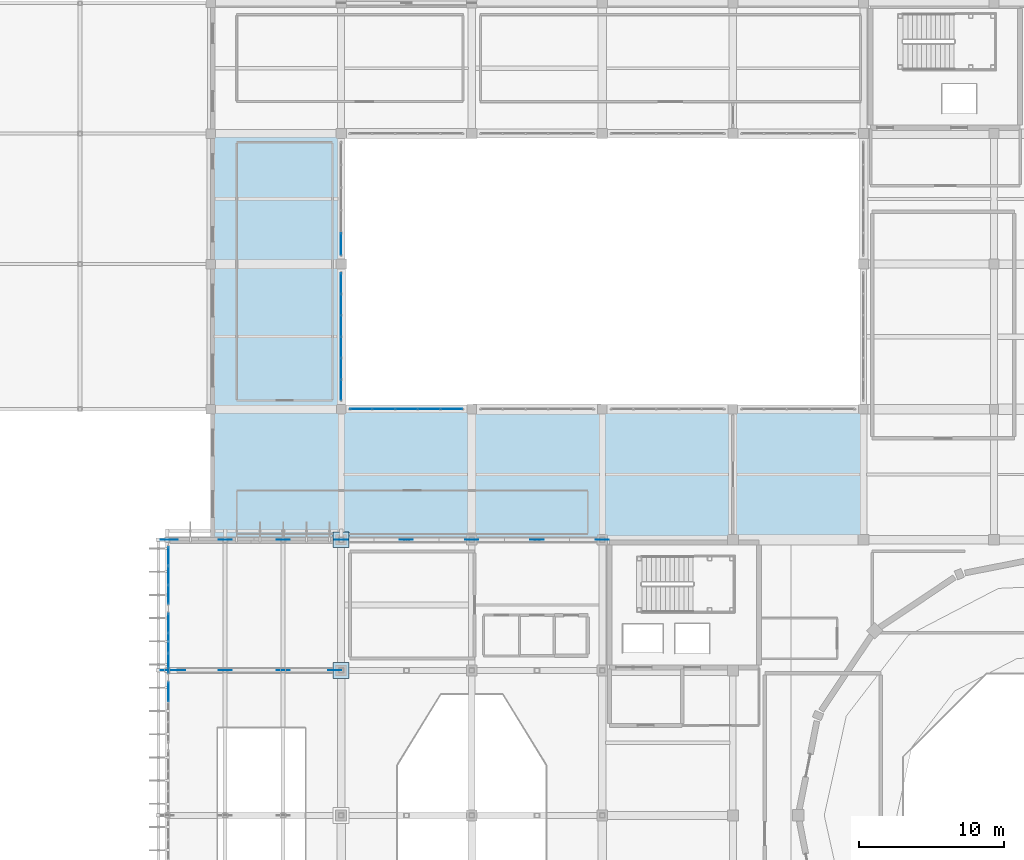
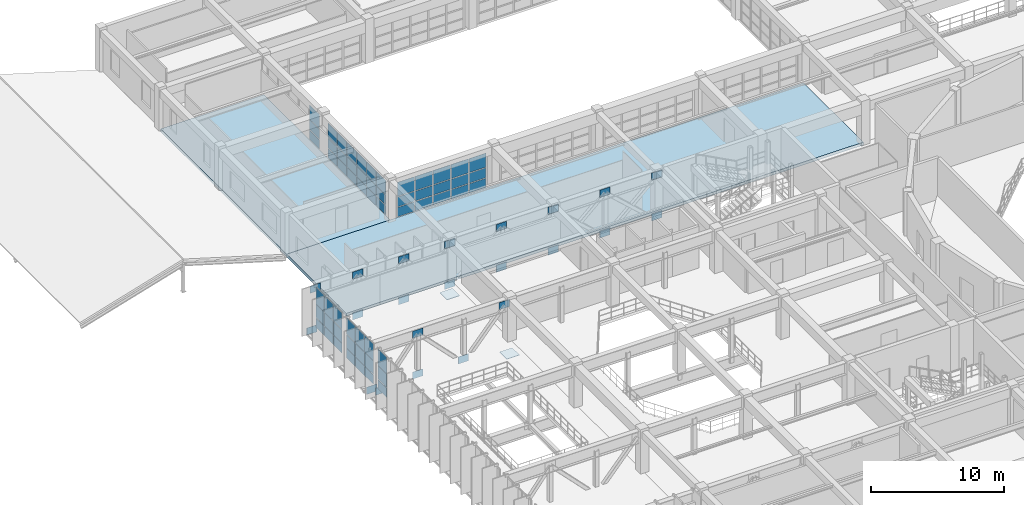
# One storey, part 94 of 130: 81 plates, 2 slabs, 6 elements without a shape of their own.
"""IFC4 building model written with IfcOpenShell, lengths in metres."""

import ifcopenshell
import ifcopenshell.guid

model = None  # the IFC model being written
_history = None  # IfcOwnerHistory: only IFC2X3 demands one
_inside = {}  # id of a spatial element -> (the spatial element, [elements in it])
_under = {}  # id of a project, library or spatial element -> (it, [spatial elements below it])
_declared = {}  # id of a project -> (the project, [libraries it declares])
_typed = {}  # id of a type object -> (the type object, [elements of that type])
_made_of = {}  # id of a material, layer set ... -> (it, [elements and type objects made of it])


def new_model(schema):
    """Start an empty IFC model of exactly this schema.

    Asked for "IFC4X3", IfcOpenShell would pick the latest addendum, in which some entities
    have other attributes; the version numbers below select the first issue.
    IFC2X3 requires an IfcOwnerHistory on every rooted entity: one is made here for all.
    """
    global model, _history
    if schema == "IFC4X3":
        model = ifcopenshell.file(schema_version=(4, 3, 0, 0))
    else:
        model = ifcopenshell.file(schema=schema)
    _inside.clear()
    _under.clear()
    _declared.clear()
    _typed.clear()
    _made_of.clear()
    _history = None
    if model.schema == "IFC2X3":
        org = make("IfcOrganization", Name="unknown")
        user = make(
            "IfcPersonAndOrganization",
            ThePerson=make("IfcPerson", FamilyName="unknown"),
            TheOrganization=org,
        )
        app = make(
            "IfcApplication",
            ApplicationDeveloper=org,
            Version="unknown",
            ApplicationFullName="unknown",
            ApplicationIdentifier="unknown",
        )
        _history = make(
            "IfcOwnerHistory",
            OwningUser=user,
            OwningApplication=app,
            ChangeAction="ADDED",
            CreationDate=0,
        )
    return model


def make(cls, **values):
    """One entity of the class cls with the attributes given. An attribute that is None is left unset."""
    return model.create_entity(
        cls, **{name: value for name, value in values.items() if value is not None}
    )


def rooted(cls, **values):
    """An entity with a GlobalId (a new one), such as an element, a storey or a relation."""
    return make(cls, GlobalId=ifcopenshell.guid.new(), OwnerHistory=_history, **values)


def si_unit(unit_type, name, prefix=None):
    """IfcSIUnit, for example si_unit("LENGTHUNIT", "METRE", prefix="MILLI")."""
    return make("IfcSIUnit", UnitType=unit_type, Prefix=prefix, Name=name)


def assignment(units):
    """IfcUnitAssignment: the units of a project."""
    return None if units is None else make("IfcUnitAssignment", Units=units)


def point(xyz):
    """IfcCartesianPoint."""
    return None if xyz is None else make("IfcCartesianPoint", Coordinates=xyz)


def direction(xyz):
    """IfcDirection."""
    return None if xyz is None else make("IfcDirection", DirectionRatios=xyz)


def frame(location, z_axis=None, x_axis=None):
    """IfcAxis2Placement3D, a coordinate frame: its origin and axes. An axis left out is left unset."""
    return make(
        "IfcAxis2Placement3D",
        Location=point(location),
        Axis=direction(z_axis),
        RefDirection=direction(x_axis),
    )


def frame_2d(location, x_axis=None):
    """IfcAxis2Placement2D, a coordinate frame in the plane: its origin and x axis."""
    return make(
        "IfcAxis2Placement2D", Location=point(location), RefDirection=direction(x_axis)
    )


def origin():
    """The frame at (0, 0, 0) with its axes left unset."""
    return frame((0.0, 0.0, 0.0))


def origin_2d():
    """The frame at (0, 0) in the plane with its x axis left unset."""
    return frame_2d((0.0, 0.0))


def place(relative_to, where):
    """IfcLocalPlacement: puts the frame where relative to a parent placement (None: the world)."""
    return make(
        "IfcLocalPlacement", PlacementRelTo=relative_to, RelativePlacement=where
    )


def context(
    kind, dimensions, precision=None, world=None, true_north=None, identifier=None
):
    """IfcGeometricRepresentationContext, for example the 3D "Model" context."""
    return make(
        "IfcGeometricRepresentationContext",
        ContextIdentifier=identifier,
        ContextType=kind,
        CoordinateSpaceDimension=dimensions,
        Precision=precision,
        WorldCoordinateSystem=world,
        TrueNorth=true_north,
    )


def subcontext(parent, identifier, kind, view, scale=None):
    """IfcGeometricRepresentationSubContext, for example "Body" below "Model"."""
    return make(
        "IfcGeometricRepresentationSubContext",
        ContextIdentifier=identifier,
        ContextType=kind,
        ParentContext=parent,
        TargetScale=scale,
        TargetView=view,
    )


def project(units=None, contexts=None):
    """IfcProject with its units and contexts."""
    return rooted(
        "IfcProject",
        Name="project",
        RepresentationContexts=contexts,
        UnitsInContext=assignment(units),
    )


def spatial(cls, under=None, at=None, **own):
    """A site, building, storey or space (cls), placed at a placement, below another one or the project."""
    s = rooted(cls, ObjectPlacement=at, **own)
    if under is not None:
        _under.setdefault(under.id(), (under, []))[1].append(s)
    return s


def polyline(points):
    """IfcPolyline through the points."""
    return make("IfcPolyline", Points=[point(p) for p in points])


def profile(cls, at=None, kind="AREA", **sizes):
    """A parametric profile (cls). Its sizes go by their IFC names, for example OverallWidth=200.0."""
    return make(cls, ProfileType=kind, Position=at, **sizes)


def rectangle(**sizes):
    """IfcRectangleProfileDef."""
    return profile("IfcRectangleProfileDef", **sizes)


def outline(outer, holes=None, kind="AREA"):
    """IfcArbitraryClosedProfileDef: a profile drawn as a closed curve; with holes, ...WithVoids."""
    if holes is None:
        return make("IfcArbitraryClosedProfileDef", ProfileType=kind, OuterCurve=outer)
    return make(
        "IfcArbitraryProfileDefWithVoids",
        ProfileType=kind,
        OuterCurve=outer,
        InnerCurves=holes,
    )


def extrude(swept, where, along, depth):
    """IfcExtrudedAreaSolid: the profile swept, set in the frame where, extruded along a direction by depth."""
    return make(
        "IfcExtrudedAreaSolid",
        SweptArea=swept,
        Position=where,
        ExtrudedDirection=direction(along),
        Depth=depth,
    )


def shape(context_of_items, identifier, shape_type, items):
    """IfcShapeRepresentation: the items that make up one representation, for example the "Body"."""
    return make(
        "IfcShapeRepresentation",
        ContextOfItems=context_of_items,
        RepresentationIdentifier=identifier,
        RepresentationType=shape_type,
        Items=items,
    )


def material(Name=None, Category=None):
    """IfcMaterial."""
    return make("IfcMaterial", Name=Name, Category=Category)


def layer(
    of_material, thickness, ventilated=None, Name=None, Category=None, Priority=None
):
    """IfcMaterialLayer: one layer of a wall or slab, of a material (None: an air gap)."""
    return make(
        "IfcMaterialLayer",
        Material=of_material,
        LayerThickness=thickness,
        IsVentilated=ventilated,
        Name=Name,
        Category=Category,
        Priority=Priority,
    )


def layer_set(layers, Name=None):
    """IfcMaterialLayerSet."""
    return make("IfcMaterialLayerSet", MaterialLayers=layers, LayerSetName=Name)


def made_of(thing, what):
    """Note that an element or type object is made of a material, layer set ...; save() writes the relation."""
    if what is not None:
        _made_of.setdefault(what.id(), (what, []))[1].append(thing)
    return thing


def type_object(cls, material=None, **own):
    """A type object (cls), such as IfcWallType, which elements share."""
    return made_of(rooted(cls, **own), material)


def element(
    cls,
    number,
    at=None,
    inside=None,
    cuts=None,
    type_object=None,
    material=None,
    context=None,
    identifier="Body",
    shape_type=None,
    held_by="IfcProductDefinitionShape",
    body=None,
    shapes=None,
    **own,
):
    """One element of the class cls, such as IfcWall. Its Tag is "e" and its number.

    at: its placement. inside: the storey or other place that contains it. cuts: it is an
    opening in that element (IfcRelVoidsElement). A single representation is given by context,
    identifier, shape_type and body (its items); several are given by shapes. held_by: the class
    of the entity that holds the representations. save() writes the other relations.
    """
    e = rooted(cls, Tag="e%d" % number, ObjectPlacement=at, **own)
    if body is not None:
        shapes = [shape(context, identifier, shape_type, body)]
    if shapes is not None:
        e.Representation = make(held_by, Representations=shapes)
    if inside is not None:
        _inside.setdefault(inside.id(), (inside, []))[1].append(e)
    if cuts is not None:
        rooted(
            "IfcRelVoidsElement", RelatingBuildingElement=cuts, RelatedOpeningElement=e
        )
    if type_object is not None:
        _typed.setdefault(type_object.id(), (type_object, []))[1].append(e)
    return made_of(e, material)


def aggregate(whole, parts):
    """IfcRelAggregates: a whole, such as a stair, and the parts it consists of."""
    return rooted("IfcRelAggregates", RelatingObject=whole, RelatedObjects=parts)


def save(model, path):
    """Write the relations noted so far, then the file.

    IfcRelAggregates (storeys below a building ...), IfcRelContainedInSpatialStructure (elements
    in a storey), IfcRelDefinesByType, IfcRelAssociatesMaterial and IfcRelDeclares: one each for
    every whole, place, type object, material and project.
    """
    for whole, parts in _under.values():
        aggregate(whole, parts)
    for where, things in _inside.values():
        rooted(
            "IfcRelContainedInSpatialStructure",
            RelatedElements=things,
            RelatingStructure=where,
        )
    for kind, things in _typed.values():
        rooted("IfcRelDefinesByType", RelatedObjects=things, RelatingType=kind)
    for what, things in _made_of.values():
        rooted("IfcRelAssociatesMaterial", RelatedObjects=things, RelatingMaterial=what)
    for by, libraries in _declared.values():
        rooted("IfcRelDeclares", RelatingContext=by, RelatedDefinitions=libraries)
    model.write(path)


model = new_model("IFC4")

# Units and contexts
model_context = context("Model", 3, precision=1e-05, world=origin(), true_north=direction((0.0, 1.0)))
body_context = subcontext(model_context, "Body", "Model", "MODEL_VIEW")
ifc_project = project(units=[si_unit("LENGTHUNIT", "METRE"), si_unit("AREAUNIT", "SQUARE_METRE"), si_unit("VOLUMEUNIT", "CUBIC_METRE"), si_unit("PLANEANGLEUNIT", "RADIAN"), si_unit("MASSUNIT", "GRAM", prefix="KILO")], contexts=[model_context])

# Site, building, storey
site_placement = place(None, origin())
site = spatial("IfcSite", under=ifc_project, at=site_placement, CompositionType="ELEMENT")
building_placement = place(site_placement, origin())
building = spatial("IfcBuilding", under=site, at=building_placement, Name="Miravela Opera House", CompositionType="ELEMENT")
storey_placement = place(building_placement, frame((0.0, 0.0, 9.52001953125)))
storey = spatial("IfcBuildingStorey", under=building, at=storey_placement, Name="L02", CompositionType="ELEMENT", Elevation=9.52001953125)

# Curtain wall, plates
ifc_material_1 = material(Name="Anodised architectural bronze aluminium 6063-T6", Category="aluminium")
curtain_wall_type_1 = type_object("IfcCurtainWallType", Name="ARC-CW-05", PredefinedType="NOTDEFINED", material=ifc_material_1)
curtain_wall_1_placement = place(storey_placement, origin())
curtain_wall_1 = element("IfcCurtainWall", 1, at=curtain_wall_1_placement, inside=storey, type_object=curtain_wall_type_1, Name="Courtyard Arcade Curtain Wall CW-L02-089", PredefinedType="NOTDEFINED")
ifc_material_2 = material(Name="Acoustic laminated low-E insulating glass", Category="glass")
ifc_layer_1 = layer(ifc_material_2, 0.028076171875)
ifc_layer_set_1 = layer_set([ifc_layer_1])
plate_type_1 = type_object("IfcPlateType", Name="ARC-CWP-28", PredefinedType="CURTAIN_PANEL", material=ifc_layer_set_1)
plate_1_placement = place(storey_placement, frame((28.37890625, 84.0, 0.06005859375), z_axis=(0.0, 0.0, 1.0), x_axis=(1.0, 0.0, 0.0)))
plate_1 = element("IfcPlate", 2, at=plate_1_placement, type_object=plate_type_1, Name="CW-05 panel 1.1", PredefinedType="CURTAIN_PANEL", context=body_context, shape_type="SweptSolid", body=[
    extrude(rectangle(XDim=1.47802734375, YDim=0.028076171875, at=origin_2d()), origin(), (0.0, 0.0, 1.0), 0.860107421875),
])
plate_2_placement = place(storey_placement, frame((28.37890625, 84.0, 0.97998046875), z_axis=(0.0, 0.0, 1.0), x_axis=(1.0, 0.0, 0.0)))
plate_2 = element("IfcPlate", 3, at=plate_2_placement, type_object=plate_type_1, Name="CW-05 panel 1.2", PredefinedType="CURTAIN_PANEL", context=body_context, shape_type="SweptSolid", body=[
    extrude(rectangle(XDim=1.47802734375, YDim=0.028076171875, at=origin_2d()), origin(), (0.0, 0.0, 1.0), 0.898193359375),
])
plate_3_placement = place(storey_placement, frame((28.37890625, 84.0, 1.93798828125), z_axis=(0.0, 0.0, 1.0), x_axis=(1.0, 0.0, 0.0)))
plate_3 = element("IfcPlate", 4, at=plate_3_placement, type_object=plate_type_1, Name="CW-05 panel 1.3", PredefinedType="CURTAIN_PANEL", context=body_context, shape_type="SweptSolid", body=[
    extrude(rectangle(XDim=1.47802734375, YDim=0.028076171875, at=origin_2d()), origin(), (0.0, 0.0, 1.0), 1.291748046875),
])
plate_4_placement = place(storey_placement, frame((29.931884765625, 84.0, 0.06005859375), z_axis=(0.0, 0.0, 1.0), x_axis=(1.0, 0.0, 0.0)))
plate_4 = element("IfcPlate", 5, at=plate_4_placement, type_object=plate_type_1, Name="CW-05 panel 2.1", PredefinedType="CURTAIN_PANEL", context=body_context, shape_type="SweptSolid", body=[
    extrude(rectangle(XDim=1.508056640625, YDim=0.028076171875, at=origin_2d()), origin(), (0.0, 0.0, 1.0), 0.860107421875),
])
plate_5_placement = place(storey_placement, frame((29.931884765625, 84.0, 0.97998046875), z_axis=(0.0, 0.0, 1.0), x_axis=(1.0, 0.0, 0.0)))
plate_5 = element("IfcPlate", 6, at=plate_5_placement, type_object=plate_type_1, Name="CW-05 panel 2.2", PredefinedType="CURTAIN_PANEL", context=body_context, shape_type="SweptSolid", body=[
    extrude(rectangle(XDim=1.508056640625, YDim=0.028076171875, at=origin_2d()), origin(), (0.0, 0.0, 1.0), 0.898193359375),
])
plate_6_placement = place(storey_placement, frame((29.931884765625, 84.0, 1.93798828125), z_axis=(0.0, 0.0, 1.0), x_axis=(1.0, 0.0, 0.0)))
plate_6 = element("IfcPlate", 7, at=plate_6_placement, type_object=plate_type_1, Name="CW-05 panel 2.3", PredefinedType="CURTAIN_PANEL", context=body_context, shape_type="SweptSolid", body=[
    extrude(rectangle(XDim=1.508056640625, YDim=0.028076171875, at=origin_2d()), origin(), (0.0, 0.0, 1.0), 1.291748046875),
])
plate_7_placement = place(storey_placement, frame((31.5, 84.0, 0.06005859375), z_axis=(0.0, 0.0, 1.0), x_axis=(1.0, 0.0, 0.0)))
plate_7 = element("IfcPlate", 8, at=plate_7_placement, type_object=plate_type_1, Name="CW-05 panel 3.1", PredefinedType="CURTAIN_PANEL", context=body_context, shape_type="SweptSolid", body=[
    extrude(rectangle(XDim=1.508056640625, YDim=0.028076171875, at=origin_2d()), origin(), (0.0, 0.0, 1.0), 0.860107421875),
])
plate_8_placement = place(storey_placement, frame((31.5, 84.0, 0.97998046875), z_axis=(0.0, 0.0, 1.0), x_axis=(1.0, 0.0, 0.0)))
plate_8 = element("IfcPlate", 9, at=plate_8_placement, type_object=plate_type_1, Name="CW-05 panel 3.2", PredefinedType="CURTAIN_PANEL", context=body_context, shape_type="SweptSolid", body=[
    extrude(rectangle(XDim=1.508056640625, YDim=0.028076171875, at=origin_2d()), origin(), (0.0, 0.0, 1.0), 0.898193359375),
])
plate_9_placement = place(storey_placement, frame((31.5, 84.0, 1.93798828125), z_axis=(0.0, 0.0, 1.0), x_axis=(1.0, 0.0, 0.0)))
plate_9 = element("IfcPlate", 10, at=plate_9_placement, type_object=plate_type_1, Name="CW-05 panel 3.3", PredefinedType="CURTAIN_PANEL", context=body_context, shape_type="SweptSolid", body=[
    extrude(rectangle(XDim=1.508056640625, YDim=0.028076171875, at=origin_2d()), origin(), (0.0, 0.0, 1.0), 1.291748046875),
])
plate_10_placement = place(storey_placement, frame((33.068115234375, 84.0, 0.06005859375), z_axis=(0.0, 0.0, 1.0), x_axis=(1.0, 0.0, 0.0)))
plate_10 = element("IfcPlate", 11, at=plate_10_placement, type_object=plate_type_1, Name="CW-05 panel 4.1", PredefinedType="CURTAIN_PANEL", context=body_context, shape_type="SweptSolid", body=[
    extrude(rectangle(XDim=1.508056640625, YDim=0.028076171875, at=origin_2d()), origin(), (0.0, 0.0, 1.0), 0.860107421875),
])
plate_11_placement = place(storey_placement, frame((33.068115234375, 84.0, 0.97998046875), z_axis=(0.0, 0.0, 1.0), x_axis=(1.0, 0.0, 0.0)))
plate_11 = element("IfcPlate", 12, at=plate_11_placement, type_object=plate_type_1, Name="CW-05 panel 4.2", PredefinedType="CURTAIN_PANEL", context=body_context, shape_type="SweptSolid", body=[
    extrude(rectangle(XDim=1.508056640625, YDim=0.028076171875, at=origin_2d()), origin(), (0.0, 0.0, 1.0), 0.898193359375),
])
plate_12_placement = place(storey_placement, frame((33.068115234375, 84.0, 1.93798828125), z_axis=(0.0, 0.0, 1.0), x_axis=(1.0, 0.0, 0.0)))
plate_12 = element("IfcPlate", 13, at=plate_12_placement, type_object=plate_type_1, Name="CW-05 panel 4.3", PredefinedType="CURTAIN_PANEL", context=body_context, shape_type="SweptSolid", body=[
    extrude(rectangle(XDim=1.508056640625, YDim=0.028076171875, at=origin_2d()), origin(), (0.0, 0.0, 1.0), 1.291748046875),
])
plate_13_placement = place(storey_placement, frame((34.62109375, 84.0, 0.06005859375), z_axis=(0.0, 0.0, 1.0), x_axis=(1.0, 0.0, 0.0)))
plate_13 = element("IfcPlate", 14, at=plate_13_placement, type_object=plate_type_1, Name="CW-05 panel 5.1", PredefinedType="CURTAIN_PANEL", context=body_context, shape_type="SweptSolid", body=[
    extrude(rectangle(XDim=1.47802734375, YDim=0.028076171875, at=origin_2d()), origin(), (0.0, 0.0, 1.0), 0.860107421875),
])
plate_14_placement = place(storey_placement, frame((34.62109375, 84.0, 0.97998046875), z_axis=(0.0, 0.0, 1.0), x_axis=(1.0, 0.0, 0.0)))
plate_14 = element("IfcPlate", 15, at=plate_14_placement, type_object=plate_type_1, Name="CW-05 panel 5.2", PredefinedType="CURTAIN_PANEL", context=body_context, shape_type="SweptSolid", body=[
    extrude(rectangle(XDim=1.47802734375, YDim=0.028076171875, at=origin_2d()), origin(), (0.0, 0.0, 1.0), 0.898193359375),
])
plate_15_placement = place(storey_placement, frame((34.62109375, 84.0, 1.93798828125), z_axis=(0.0, 0.0, 1.0), x_axis=(1.0, 0.0, 0.0)))
plate_15 = element("IfcPlate", 16, at=plate_15_placement, type_object=plate_type_1, Name="CW-05 panel 5.3", PredefinedType="CURTAIN_PANEL", context=body_context, shape_type="SweptSolid", body=[
    extrude(rectangle(XDim=1.47802734375, YDim=0.028076171875, at=origin_2d()), origin(), (0.0, 0.0, 1.0), 1.291748046875),
])
aggregate(curtain_wall_1, [plate_1, plate_2, plate_3, plate_4, plate_5, plate_6, plate_7, plate_8, plate_9, plate_10, plate_11, plate_12, plate_13, plate_14, plate_15])

curtain_wall_2_placement = place(storey_placement, origin())
curtain_wall_2 = element("IfcCurtainWall", 17, at=curtain_wall_2_placement, inside=storey, type_object=curtain_wall_type_1, Name="Courtyard Arcade Curtain Wall CW-L02-097", PredefinedType="NOTDEFINED")
plate_16_placement = place(storey_placement, frame((27.0, 85.331787109375, 0.06005859375), z_axis=(0.0, 0.0, 1.0), x_axis=(0.0, 1.0, 0.0)))
plate_16 = element("IfcPlate", 18, at=plate_16_placement, type_object=plate_type_1, Name="CW-05 panel 1.1", PredefinedType="CURTAIN_PANEL", context=body_context, shape_type="SweptSolid", body=[
    extrude(rectangle(XDim=1.38330078125, YDim=0.028076171875, at=origin_2d()), origin(), (0.0, 0.0, 1.0), 0.860107421875),
])
plate_17_placement = place(storey_placement, frame((27.0, 85.331787109375, 0.97998046875), z_axis=(0.0, 0.0, 1.0), x_axis=(0.0, 1.0, 0.0)))
plate_17 = element("IfcPlate", 19, at=plate_17_placement, type_object=plate_type_1, Name="CW-05 panel 1.2", PredefinedType="CURTAIN_PANEL", context=body_context, shape_type="SweptSolid", body=[
    extrude(rectangle(XDim=1.38330078125, YDim=0.028076171875, at=origin_2d()), origin(), (0.0, 0.0, 1.0), 0.898193359375),
])
plate_18_placement = place(storey_placement, frame((27.0, 85.331787109375, 1.93798828125), z_axis=(0.0, 0.0, 1.0), x_axis=(0.0, 1.0, 0.0)))
plate_18 = element("IfcPlate", 20, at=plate_18_placement, type_object=plate_type_1, Name="CW-05 panel 1.3", PredefinedType="CURTAIN_PANEL", context=body_context, shape_type="SweptSolid", body=[
    extrude(rectangle(XDim=1.38330078125, YDim=0.028076171875, at=origin_2d()), origin(), (0.0, 0.0, 1.0), 1.291748046875),
])
plate_19_placement = place(storey_placement, frame((27.0, 86.7900390625, 0.06005859375), z_axis=(0.0, 0.0, 1.0), x_axis=(0.0, 1.0, 0.0)))
plate_19 = element("IfcPlate", 21, at=plate_19_placement, type_object=plate_type_1, Name="CW-05 panel 2.1", PredefinedType="CURTAIN_PANEL", context=body_context, shape_type="SweptSolid", body=[
    extrude(rectangle(XDim=1.413330078125, YDim=0.028076171875, at=origin_2d()), origin(), (0.0, 0.0, 1.0), 0.860107421875),
])
plate_20_placement = place(storey_placement, frame((27.0, 86.7900390625, 0.97998046875), z_axis=(0.0, 0.0, 1.0), x_axis=(0.0, 1.0, 0.0)))
plate_20 = element("IfcPlate", 22, at=plate_20_placement, type_object=plate_type_1, Name="CW-05 panel 2.2", PredefinedType="CURTAIN_PANEL", context=body_context, shape_type="SweptSolid", body=[
    extrude(rectangle(XDim=1.413330078125, YDim=0.028076171875, at=origin_2d()), origin(), (0.0, 0.0, 1.0), 0.898193359375),
])
plate_21_placement = place(storey_placement, frame((27.0, 86.7900390625, 1.93798828125), z_axis=(0.0, 0.0, 1.0), x_axis=(0.0, 1.0, 0.0)))
plate_21 = element("IfcPlate", 23, at=plate_21_placement, type_object=plate_type_1, Name="CW-05 panel 2.3", PredefinedType="CURTAIN_PANEL", context=body_context, shape_type="SweptSolid", body=[
    extrude(rectangle(XDim=1.413330078125, YDim=0.028076171875, at=origin_2d()), origin(), (0.0, 0.0, 1.0), 1.291748046875),
])
plate_22_placement = place(storey_placement, frame((27.0, 88.263427734375, 0.06005859375), z_axis=(0.0, 0.0, 1.0), x_axis=(0.0, 1.0, 0.0)))
plate_22 = element("IfcPlate", 24, at=plate_22_placement, type_object=plate_type_1, Name="CW-05 panel 3.1", PredefinedType="CURTAIN_PANEL", context=body_context, shape_type="SweptSolid", body=[
    extrude(rectangle(XDim=1.413330078125, YDim=0.028076171875, at=origin_2d()), origin(), (0.0, 0.0, 1.0), 0.860107421875),
])
plate_23_placement = place(storey_placement, frame((27.0, 88.263427734375, 0.97998046875), z_axis=(0.0, 0.0, 1.0), x_axis=(0.0, 1.0, 0.0)))
plate_23 = element("IfcPlate", 25, at=plate_23_placement, type_object=plate_type_1, Name="CW-05 panel 3.2", PredefinedType="CURTAIN_PANEL", context=body_context, shape_type="SweptSolid", body=[
    extrude(rectangle(XDim=1.413330078125, YDim=0.028076171875, at=origin_2d()), origin(), (0.0, 0.0, 1.0), 0.898193359375),
])
plate_24_placement = place(storey_placement, frame((27.0, 88.263427734375, 1.93798828125), z_axis=(0.0, 0.0, 1.0), x_axis=(0.0, 1.0, 0.0)))
plate_24 = element("IfcPlate", 26, at=plate_24_placement, type_object=plate_type_1, Name="CW-05 panel 3.3", PredefinedType="CURTAIN_PANEL", context=body_context, shape_type="SweptSolid", body=[
    extrude(rectangle(XDim=1.413330078125, YDim=0.028076171875, at=origin_2d()), origin(), (0.0, 0.0, 1.0), 1.291748046875),
])
plate_25_placement = place(storey_placement, frame((27.0, 89.736572265625, 0.06005859375), z_axis=(0.0, 0.0, 1.0), x_axis=(0.0, 1.0, 0.0)))
plate_25 = element("IfcPlate", 27, at=plate_25_placement, type_object=plate_type_1, Name="CW-05 panel 4.1", PredefinedType="CURTAIN_PANEL", context=body_context, shape_type="SweptSolid", body=[
    extrude(rectangle(XDim=1.413330078125, YDim=0.028076171875, at=origin_2d()), origin(), (0.0, 0.0, 1.0), 0.860107421875),
])
plate_26_placement = place(storey_placement, frame((27.0, 89.736572265625, 0.97998046875), z_axis=(0.0, 0.0, 1.0), x_axis=(0.0, 1.0, 0.0)))
plate_26 = element("IfcPlate", 28, at=plate_26_placement, type_object=plate_type_1, Name="CW-05 panel 4.2", PredefinedType="CURTAIN_PANEL", context=body_context, shape_type="SweptSolid", body=[
    extrude(rectangle(XDim=1.413330078125, YDim=0.028076171875, at=origin_2d()), origin(), (0.0, 0.0, 1.0), 0.898193359375),
])
plate_27_placement = place(storey_placement, frame((27.0, 89.736572265625, 1.93798828125), z_axis=(0.0, 0.0, 1.0), x_axis=(0.0, 1.0, 0.0)))
plate_27 = element("IfcPlate", 29, at=plate_27_placement, type_object=plate_type_1, Name="CW-05 panel 4.3", PredefinedType="CURTAIN_PANEL", context=body_context, shape_type="SweptSolid", body=[
    extrude(rectangle(XDim=1.413330078125, YDim=0.028076171875, at=origin_2d()), origin(), (0.0, 0.0, 1.0), 1.291748046875),
])
plate_28_placement = place(storey_placement, frame((27.0, 91.2099609375, 0.06005859375), z_axis=(0.0, 0.0, 1.0), x_axis=(0.0, 1.0, 0.0)))
plate_28 = element("IfcPlate", 30, at=plate_28_placement, type_object=plate_type_1, Name="CW-05 panel 5.1", PredefinedType="CURTAIN_PANEL", context=body_context, shape_type="SweptSolid", body=[
    extrude(rectangle(XDim=1.413330078125, YDim=0.028076171875, at=origin_2d()), origin(), (0.0, 0.0, 1.0), 0.860107421875),
])
plate_29_placement = place(storey_placement, frame((27.0, 91.2099609375, 0.97998046875), z_axis=(0.0, 0.0, 1.0), x_axis=(0.0, 1.0, 0.0)))
plate_29 = element("IfcPlate", 31, at=plate_29_placement, type_object=plate_type_1, Name="CW-05 panel 5.2", PredefinedType="CURTAIN_PANEL", context=body_context, shape_type="SweptSolid", body=[
    extrude(rectangle(XDim=1.413330078125, YDim=0.028076171875, at=origin_2d()), origin(), (0.0, 0.0, 1.0), 0.898193359375),
])
plate_30_placement = place(storey_placement, frame((27.0, 91.2099609375, 1.93798828125), z_axis=(0.0, 0.0, 1.0), x_axis=(0.0, 1.0, 0.0)))
plate_30 = element("IfcPlate", 32, at=plate_30_placement, type_object=plate_type_1, Name="CW-05 panel 5.3", PredefinedType="CURTAIN_PANEL", context=body_context, shape_type="SweptSolid", body=[
    extrude(rectangle(XDim=1.413330078125, YDim=0.028076171875, at=origin_2d()), origin(), (0.0, 0.0, 1.0), 1.291748046875),
])
plate_31_placement = place(storey_placement, frame((27.0, 92.668212890625, 0.06005859375), z_axis=(0.0, 0.0, 1.0), x_axis=(0.0, 1.0, 0.0)))
plate_31 = element("IfcPlate", 33, at=plate_31_placement, type_object=plate_type_1, Name="CW-05 panel 6.1", PredefinedType="CURTAIN_PANEL", context=body_context, shape_type="SweptSolid", body=[
    extrude(rectangle(XDim=1.38330078125, YDim=0.028076171875, at=origin_2d()), origin(), (0.0, 0.0, 1.0), 0.860107421875),
])
plate_32_placement = place(storey_placement, frame((27.0, 92.668212890625, 0.97998046875), z_axis=(0.0, 0.0, 1.0), x_axis=(0.0, 1.0, 0.0)))
plate_32 = element("IfcPlate", 34, at=plate_32_placement, type_object=plate_type_1, Name="CW-05 panel 6.2", PredefinedType="CURTAIN_PANEL", context=body_context, shape_type="SweptSolid", body=[
    extrude(rectangle(XDim=1.38330078125, YDim=0.028076171875, at=origin_2d()), origin(), (0.0, 0.0, 1.0), 0.898193359375),
])
plate_33_placement = place(storey_placement, frame((27.0, 92.668212890625, 1.93798828125), z_axis=(0.0, 0.0, 1.0), x_axis=(0.0, 1.0, 0.0)))
plate_33 = element("IfcPlate", 35, at=plate_33_placement, type_object=plate_type_1, Name="CW-05 panel 6.3", PredefinedType="CURTAIN_PANEL", context=body_context, shape_type="SweptSolid", body=[
    extrude(rectangle(XDim=1.38330078125, YDim=0.028076171875, at=origin_2d()), origin(), (0.0, 0.0, 1.0), 1.291748046875),
])
aggregate(curtain_wall_2, [plate_16, plate_17, plate_18, plate_19, plate_20, plate_21, plate_22, plate_23, plate_24, plate_25, plate_26, plate_27, plate_28, plate_29, plate_30, plate_31, plate_32, plate_33])

curtain_wall_3_placement = place(storey_placement, origin())
curtain_wall_3 = element("IfcCurtainWall", 36, at=curtain_wall_3_placement, inside=storey, type_object=curtain_wall_type_1, Name="Courtyard Arcade Curtain Wall CW-L02-098", PredefinedType="NOTDEFINED")
plate_34_placement = place(storey_placement, frame((27.0, 95.37890625, 0.06005859375), z_axis=(0.0, 0.0, 1.0), x_axis=(0.0, 1.0, 0.0)))
plate_34 = element("IfcPlate", 37, at=plate_34_placement, type_object=plate_type_1, Name="CW-05 panel 1.1", PredefinedType="CURTAIN_PANEL", context=body_context, shape_type="SweptSolid", body=[
    extrude(rectangle(XDim=1.47802734375, YDim=0.028076171875, at=origin_2d()), origin(), (0.0, 0.0, 1.0), 0.860107421875),
])
plate_35_placement = place(storey_placement, frame((27.0, 95.37890625, 0.97998046875), z_axis=(0.0, 0.0, 1.0), x_axis=(0.0, 1.0, 0.0)))
plate_35 = element("IfcPlate", 38, at=plate_35_placement, type_object=plate_type_1, Name="CW-05 panel 1.2", PredefinedType="CURTAIN_PANEL", context=body_context, shape_type="SweptSolid", body=[
    extrude(rectangle(XDim=1.47802734375, YDim=0.028076171875, at=origin_2d()), origin(), (0.0, 0.0, 1.0), 0.898193359375),
])
plate_36_placement = place(storey_placement, frame((27.0, 95.37890625, 1.93798828125), z_axis=(0.0, 0.0, 1.0), x_axis=(0.0, 1.0, 0.0)))
plate_36 = element("IfcPlate", 39, at=plate_36_placement, type_object=plate_type_1, Name="CW-05 panel 1.3", PredefinedType="CURTAIN_PANEL", context=body_context, shape_type="SweptSolid", body=[
    extrude(rectangle(XDim=1.47802734375, YDim=0.028076171875, at=origin_2d()), origin(), (0.0, 0.0, 1.0), 1.291748046875),
])
aggregate(curtain_wall_3, [plate_34, plate_35, plate_36])

curtain_wall_type_2 = type_object("IfcCurtainWallType", Name="ARC-CW-02", PredefinedType="NOTDEFINED", material=ifc_material_1)
curtain_wall_4_placement = place(storey_placement, origin())
curtain_wall_4 = element("IfcCurtainWall", 40, at=curtain_wall_4_placement, inside=storey, type_object=curtain_wall_type_2, Name="Cantilever West Wrapper Glazing B6 CW-L02-012", PredefinedType="NOTDEFINED")
ifc_material_3 = material(Name="Triple-glazed acoustic laminated low-E glass", Category="glass")
ifc_layer_2 = layer(ifc_material_3, 0.035888671875)
ifc_layer_set_2 = layer_set([ifc_layer_2])
plate_type_2 = type_object("IfcPlateType", Name="ARC-CWP-36", PredefinedType="CURTAIN_PANEL", material=ifc_layer_set_2)
plate_37_placement = place(storey_placement, frame((15.080078125, 64.50537109375, 0.06494140625), z_axis=(0.0, 0.0, 1.0), x_axis=(0.0, 1.0, 0.0)))
plate_37 = element("IfcPlate", 41, at=plate_37_placement, type_object=plate_type_2, Name="CW-02 panel 3.1", PredefinedType="CURTAIN_PANEL", context=body_context, shape_type="SweptSolid", body=[
    extrude(rectangle(XDim=1.299072265625, YDim=0.035888671875, at=origin_2d()), origin(), (0.0, 0.0, 1.0), 0.8525390625),
])
plate_38_placement = place(storey_placement, frame((15.080078125, 64.50537109375, 0.982421875), z_axis=(0.0, 0.0, 1.0), x_axis=(0.0, 1.0, 0.0)))
plate_38 = element("IfcPlate", 42, at=plate_38_placement, type_object=plate_type_2, Name="CW-02 panel 3.2", PredefinedType="CURTAIN_PANEL", context=body_context, shape_type="SweptSolid", body=[
    extrude(rectangle(XDim=1.299072265625, YDim=0.035888671875, at=origin_2d()), origin(), (0.0, 0.0, 1.0), 1.20068359375),
])
plate_39_placement = place(storey_placement, frame((15.080078125, 64.50537109375, 2.248046875), z_axis=(0.0, 0.0, 1.0), x_axis=(0.0, 1.0, 0.0)))
plate_39 = element("IfcPlate", 43, at=plate_39_placement, type_object=plate_type_2, Name="CW-02 panel 3.3", PredefinedType="CURTAIN_PANEL", context=body_context, shape_type="SweptSolid", body=[
    extrude(rectangle(XDim=1.299072265625, YDim=0.035888671875, at=origin_2d()), origin(), (0.0, 0.0, 1.0), 1.5068359375),
])
aggregate(curtain_wall_4, [plate_37, plate_38, plate_39])

curtain_wall_5_placement = place(storey_placement, origin())
curtain_wall_5 = element("IfcCurtainWall", 44, at=curtain_wall_5_placement, inside=storey, type_object=curtain_wall_type_2, Name="Cantilever West Wrapper Glazing B7 CW-L02-013", PredefinedType="NOTDEFINED")
plate_40_placement = place(storey_placement, frame((15.080078125, 66.49462890625, 0.06494140625), z_axis=(0.0, 0.0, 1.0), x_axis=(0.0, 1.0, 0.0)))
plate_40 = element("IfcPlate", 45, at=plate_40_placement, type_object=plate_type_2, Name="CW-02 panel 1.1", PredefinedType="CURTAIN_PANEL", context=body_context, shape_type="SweptSolid", body=[
    extrude(rectangle(XDim=1.299072265625, YDim=0.035888671875, at=origin_2d()), origin(), (0.0, 0.0, 1.0), 0.8525390625),
])
plate_41_placement = place(storey_placement, frame((15.080078125, 66.49462890625, 0.982421875), z_axis=(0.0, 0.0, 1.0), x_axis=(0.0, 1.0, 0.0)))
plate_41 = element("IfcPlate", 46, at=plate_41_placement, type_object=plate_type_2, Name="CW-02 panel 1.2", PredefinedType="CURTAIN_PANEL", context=body_context, shape_type="SweptSolid", body=[
    extrude(rectangle(XDim=1.299072265625, YDim=0.035888671875, at=origin_2d()), origin(), (0.0, 0.0, 1.0), 1.20068359375),
])
plate_42_placement = place(storey_placement, frame((15.080078125, 66.49462890625, 2.248046875), z_axis=(0.0, 0.0, 1.0), x_axis=(0.0, 1.0, 0.0)))
plate_42 = element("IfcPlate", 47, at=plate_42_placement, type_object=plate_type_2, Name="CW-02 panel 1.3", PredefinedType="CURTAIN_PANEL", context=body_context, shape_type="SweptSolid", body=[
    extrude(rectangle(XDim=1.299072265625, YDim=0.035888671875, at=origin_2d()), origin(), (0.0, 0.0, 1.0), 1.5068359375),
])
plate_43_placement = place(storey_placement, frame((15.080078125, 67.875, 0.06494140625), z_axis=(0.0, 0.0, 1.0), x_axis=(0.0, 1.0, 0.0)))
plate_43 = element("IfcPlate", 48, at=plate_43_placement, type_object=plate_type_2, Name="CW-02 panel 2.1", PredefinedType="CURTAIN_PANEL", context=body_context, shape_type="SweptSolid", body=[
    extrude(rectangle(XDim=1.331787109375, YDim=0.035888671875, at=origin_2d()), origin(), (0.0, 0.0, 1.0), 0.8525390625),
])
plate_44_placement = place(storey_placement, frame((15.080078125, 67.875, 0.982421875), z_axis=(0.0, 0.0, 1.0), x_axis=(0.0, 1.0, 0.0)))
plate_44 = element("IfcPlate", 49, at=plate_44_placement, type_object=plate_type_2, Name="CW-02 panel 2.2", PredefinedType="CURTAIN_PANEL", context=body_context, shape_type="SweptSolid", body=[
    extrude(rectangle(XDim=1.331787109375, YDim=0.035888671875, at=origin_2d()), origin(), (0.0, 0.0, 1.0), 1.20068359375),
])
plate_45_placement = place(storey_placement, frame((15.080078125, 67.875, 2.248046875), z_axis=(0.0, 0.0, 1.0), x_axis=(0.0, 1.0, 0.0)))
plate_45 = element("IfcPlate", 50, at=plate_45_placement, type_object=plate_type_2, Name="CW-02 panel 2.3", PredefinedType="CURTAIN_PANEL", context=body_context, shape_type="SweptSolid", body=[
    extrude(rectangle(XDim=1.331787109375, YDim=0.035888671875, at=origin_2d()), origin(), (0.0, 0.0, 1.0), 1.5068359375),
])
plate_46_placement = place(storey_placement, frame((15.080078125, 69.25537109375, 0.06494140625), z_axis=(0.0, 0.0, 1.0), x_axis=(0.0, 1.0, 0.0)))
plate_46 = element("IfcPlate", 51, at=plate_46_placement, type_object=plate_type_2, Name="CW-02 panel 3.1", PredefinedType="CURTAIN_PANEL", context=body_context, shape_type="SweptSolid", body=[
    extrude(rectangle(XDim=1.299072265625, YDim=0.035888671875, at=origin_2d()), origin(), (0.0, 0.0, 1.0), 0.8525390625),
])
plate_47_placement = place(storey_placement, frame((15.080078125, 69.25537109375, 0.982421875), z_axis=(0.0, 0.0, 1.0), x_axis=(0.0, 1.0, 0.0)))
plate_47 = element("IfcPlate", 52, at=plate_47_placement, type_object=plate_type_2, Name="CW-02 panel 3.2", PredefinedType="CURTAIN_PANEL", context=body_context, shape_type="SweptSolid", body=[
    extrude(rectangle(XDim=1.299072265625, YDim=0.035888671875, at=origin_2d()), origin(), (0.0, 0.0, 1.0), 1.20068359375),
])
plate_48_placement = place(storey_placement, frame((15.080078125, 69.25537109375, 2.248046875), z_axis=(0.0, 0.0, 1.0), x_axis=(0.0, 1.0, 0.0)))
plate_48 = element("IfcPlate", 53, at=plate_48_placement, type_object=plate_type_2, Name="CW-02 panel 3.3", PredefinedType="CURTAIN_PANEL", context=body_context, shape_type="SweptSolid", body=[
    extrude(rectangle(XDim=1.299072265625, YDim=0.035888671875, at=origin_2d()), origin(), (0.0, 0.0, 1.0), 1.5068359375),
])
aggregate(curtain_wall_5, [plate_40, plate_41, plate_42, plate_43, plate_44, plate_45, plate_46, plate_47, plate_48])

curtain_wall_6_placement = place(storey_placement, origin())
curtain_wall_6 = element("IfcCurtainWall", 54, at=curtain_wall_6_placement, inside=storey, type_object=curtain_wall_type_2, Name="Cantilever West Wrapper Glazing B8 CW-L02-014", PredefinedType="NOTDEFINED")
plate_49_placement = place(storey_placement, frame((15.080078125, 71.21630859375, 0.06494140625), z_axis=(0.0, 0.0, 1.0), x_axis=(0.0, 1.0, 0.0)))
plate_49 = element("IfcPlate", 55, at=plate_49_placement, type_object=plate_type_2, Name="CW-02 panel 1.1", PredefinedType="CURTAIN_PANEL", context=body_context, shape_type="SweptSolid", body=[
    extrude(rectangle(XDim=1.242431640625, YDim=0.035888671875, at=origin_2d()), origin(), (0.0, 0.0, 1.0), 0.8525390625),
])
plate_50_placement = place(storey_placement, frame((15.080078125, 71.21630859375, 0.982421875), z_axis=(0.0, 0.0, 1.0), x_axis=(0.0, 1.0, 0.0)))
plate_50 = element("IfcPlate", 56, at=plate_50_placement, type_object=plate_type_2, Name="CW-02 panel 1.2", PredefinedType="CURTAIN_PANEL", context=body_context, shape_type="SweptSolid", body=[
    extrude(rectangle(XDim=1.242431640625, YDim=0.035888671875, at=origin_2d()), origin(), (0.0, 0.0, 1.0), 1.20068359375),
])
plate_51_placement = place(storey_placement, frame((15.080078125, 71.21630859375, 2.248046875), z_axis=(0.0, 0.0, 1.0), x_axis=(0.0, 1.0, 0.0)))
plate_51 = element("IfcPlate", 57, at=plate_51_placement, type_object=plate_type_2, Name="CW-02 panel 1.3", PredefinedType="CURTAIN_PANEL", context=body_context, shape_type="SweptSolid", body=[
    extrude(rectangle(XDim=1.242431640625, YDim=0.035888671875, at=origin_2d()), origin(), (0.0, 0.0, 1.0), 1.5068359375),
])
plate_52_placement = place(storey_placement, frame((15.080078125, 72.5400390625, 0.06494140625), z_axis=(0.0, 0.0, 1.0), x_axis=(0.0, 1.0, 0.0)))
plate_52 = element("IfcPlate", 58, at=plate_52_placement, type_object=plate_type_2, Name="CW-02 panel 2.1", PredefinedType="CURTAIN_PANEL", context=body_context, shape_type="SweptSolid", body=[
    extrude(rectangle(XDim=1.27490234375, YDim=0.035888671875, at=origin_2d()), origin(), (0.0, 0.0, 1.0), 0.8525390625),
])
plate_53_placement = place(storey_placement, frame((15.080078125, 72.5400390625, 0.982421875), z_axis=(0.0, 0.0, 1.0), x_axis=(0.0, 1.0, 0.0)))
plate_53 = element("IfcPlate", 59, at=plate_53_placement, type_object=plate_type_2, Name="CW-02 panel 2.2", PredefinedType="CURTAIN_PANEL", context=body_context, shape_type="SweptSolid", body=[
    extrude(rectangle(XDim=1.27490234375, YDim=0.035888671875, at=origin_2d()), origin(), (0.0, 0.0, 1.0), 1.20068359375),
])
plate_54_placement = place(storey_placement, frame((15.080078125, 72.5400390625, 2.248046875), z_axis=(0.0, 0.0, 1.0), x_axis=(0.0, 1.0, 0.0)))
plate_54 = element("IfcPlate", 60, at=plate_54_placement, type_object=plate_type_2, Name="CW-02 panel 2.3", PredefinedType="CURTAIN_PANEL", context=body_context, shape_type="SweptSolid", body=[
    extrude(rectangle(XDim=1.27490234375, YDim=0.035888671875, at=origin_2d()), origin(), (0.0, 0.0, 1.0), 1.5068359375),
])
plate_55_placement = place(storey_placement, frame((15.080078125, 73.86376953125, 0.06494140625), z_axis=(0.0, 0.0, 1.0), x_axis=(0.0, 1.0, 0.0)))
plate_55 = element("IfcPlate", 61, at=plate_55_placement, type_object=plate_type_2, Name="CW-02 panel 3.1", PredefinedType="CURTAIN_PANEL", context=body_context, shape_type="SweptSolid", body=[
    extrude(rectangle(XDim=1.242431640625, YDim=0.035888671875, at=origin_2d()), origin(), (0.0, 0.0, 1.0), 0.8525390625),
])
plate_56_placement = place(storey_placement, frame((15.080078125, 73.86376953125, 0.982421875), z_axis=(0.0, 0.0, 1.0), x_axis=(0.0, 1.0, 0.0)))
plate_56 = element("IfcPlate", 62, at=plate_56_placement, type_object=plate_type_2, Name="CW-02 panel 3.2", PredefinedType="CURTAIN_PANEL", context=body_context, shape_type="SweptSolid", body=[
    extrude(rectangle(XDim=1.242431640625, YDim=0.035888671875, at=origin_2d()), origin(), (0.0, 0.0, 1.0), 1.20068359375),
])
plate_57_placement = place(storey_placement, frame((15.080078125, 73.86376953125, 2.248046875), z_axis=(0.0, 0.0, 1.0), x_axis=(0.0, 1.0, 0.0)))
plate_57 = element("IfcPlate", 63, at=plate_57_placement, type_object=plate_type_2, Name="CW-02 panel 3.3", PredefinedType="CURTAIN_PANEL", context=body_context, shape_type="SweptSolid", body=[
    extrude(rectangle(XDim=1.242431640625, YDim=0.035888671875, at=origin_2d()), origin(), (0.0, 0.0, 1.0), 1.5068359375),
])
aggregate(curtain_wall_6, [plate_49, plate_50, plate_51, plate_52, plate_53, plate_54, plate_55, plate_56, plate_57])

# Plates
ifc_material_4 = material(Name="Structural steel ASTM A572 Gr. 50", Category="steel")
ifc_layer_3 = layer(ifc_material_4, 0.035888671875)
ifc_layer_set_3 = layer_set([ifc_layer_3])
plate_type_3 = type_object("IfcPlateType", Name="STR-PL-BASE-1100X1100X36", PredefinedType="USERDEFINED", material=ifc_layer_set_3)
for number, where, z_axis, x_axis, name in (
    (64, (27.0, 66.0, -1.40185546875), (0.0, 0.0, 1.0), (1.0, 0.0, 0.0), "Cantilever Truss Fulcrum Bearing Plate 04"),
    (65, (27.0, 75.0, -1.40185546875), (0.0, 0.0, 1.0), (1.0, 0.0, 0.0), "Cantilever Truss Fulcrum Bearing Plate 05"),
):
    element("IfcPlate", number, at=place(storey_placement, frame(where, z_axis=z_axis, x_axis=x_axis)), inside=storey, type_object=plate_type_3, Name=name, ObjectType="BASE PLATE", PredefinedType="USERDEFINED", context=body_context, shape_type="SweptSolid", body=[
        extrude(rectangle(XDim=1.10009765625, YDim=1.10009765625, at=origin_2d()), origin(), (0.0, 0.0, 1.0), 0.035888671875),
    ])
ifc_layer_4 = layer(ifc_material_4, 0.02392578125)
ifc_layer_set_4 = layer_set([ifc_layer_4])
plate_type_4 = type_object("IfcPlateType", Name="STR-PL-GUS-900X650X24", PredefinedType="USERDEFINED", material=ifc_layer_set_4)
for number, where, z_axis, x_axis, name in (
    (66, (15.0, 66.0, -0.7880859375), (0.0, 0.0, 1.0), (1.0, 0.0, 0.0), "Truss Node Gusset Plate 027"),
    (67, (19.0, 66.0, -0.7880859375), (0.0, 0.0, 1.0), (1.0, 0.0, 0.0), "Truss Node Gusset Plate 030"),
    (68, (23.0, 66.0, -0.7880859375), (0.0, 0.0, 1.0), (1.0, 0.0, 0.0), "Truss Node Gusset Plate 032"),
    (69, (15.0, 75.0, -0.7880859375), (0.0, 0.0, 1.0), (1.0, 0.0, 0.0), "Truss Node Gusset Plate 034"),
    (70, (19.0, 75.0, -0.7880859375), (0.0, 0.0, 1.0), (1.0, 0.0, 0.0), "Truss Node Gusset Plate 037"),
    (71, (23.0, 75.0, -0.7880859375), (0.0, 0.0, 1.0), (1.0, 0.0, 0.0), "Truss Node Gusset Plate 039"),
    (72, (27.0, 75.0, -0.7880859375), (0.0, 0.0, 1.0), (1.0, 0.0, 0.0), "Truss Node Gusset Plate 041"),
    (73, (31.5, 75.0, -0.7880859375), (0.0, 0.0, 1.0), (1.0, 0.0, 0.0), "Truss Node Gusset Plate 042"),
    (74, (36.0, 75.0, -0.7880859375), (0.0, 0.0, 1.0), (1.0, 0.0, 0.0), "Truss Node Gusset Plate 043"),
    (75, (40.5, 75.0, -0.7880859375), (0.0, 0.0, 1.0), (1.0, 0.0, 0.0), "Truss Node Gusset Plate 044"),
    (76, (45.0, 75.0, -0.7880859375), (0.0, 0.0, 1.0), (1.0, 0.0, 0.0), "Truss Node Gusset Plate 045"),
    (77, (15.800048828125, 66.0, -1.137939453125), (0.0, 0.0, 1.0), (1.0, 0.0, 0.0), "Brace Node Gusset Plate 394"),
    (78, (19.0, 66.0, 2.9619140625), (0.0, 0.0, 1.0), (1.0, 0.0, 0.0), "Brace Node Gusset Plate 395"),
    (79, (26.550048828125, 66.0, 2.9619140625), (0.0, 0.0, 1.0), (1.0, 0.0, 0.0), "Brace Node Gusset Plate 396"),
    (80, (19.0, 75.0, 2.9619140625), (0.0, 0.0, 1.0), (1.0, 0.0, 0.0), "Brace Node Gusset Plate 405"),
    (81, (15.300048828125, 75.0, 2.9619140625), (0.0, 0.0, 1.0), (1.0, 0.0, 0.0), "Brace Node Gusset Plate 406"),
    (82, (23.0, 75.0, 2.9619140625), (0.0, 0.0, 1.0), (1.0, 0.0, 0.0), "Brace Node Gusset Plate 407"),
    (83, (27.0, 75.0, 2.9619140625), (0.0, 0.0, 1.0), (1.0, 0.0, 0.0), "Brace Node Gusset Plate 408"),
    (84, (31.5, 75.0, 2.9619140625), (0.0, 0.0, 1.0), (1.0, 0.0, 0.0), "Brace Node Gusset Plate 409"),
    (85, (36.0, 75.0, 2.9619140625), (0.0, 0.0, 1.0), (1.0, 0.0, 0.0), "Brace Node Gusset Plate 410"),
    (86, (40.5, 75.0, 2.9619140625), (0.0, 0.0, 1.0), (1.0, 0.0, 0.0), "Brace Node Gusset Plate 411"),
    (87, (45.0, 75.0, 2.9619140625), (0.0, 0.0, 1.0), (1.0, 0.0, 0.0), "Brace Node Gusset Plate 412"),
):
    element("IfcPlate", number, at=place(storey_placement, frame(where, z_axis=z_axis, x_axis=x_axis)), inside=storey, type_object=plate_type_4, Name=name, ObjectType="GUSSET PLATE", PredefinedType="USERDEFINED", context=body_context, shape_type="SweptSolid", body=[
        extrude(rectangle(XDim=0.89990234375, YDim=0.02392578125, at=origin_2d()), origin(), (0.0, 0.0, 1.0), 0.64990234375),
    ])

# Slabs
ifc_material_5 = material(Name="Concrete C40/50", Category="concrete")
ifc_layer_5 = layer(ifc_material_5, 0.260009765625)
ifc_layer_set_5 = layer_set([ifc_layer_5])
slab_type = type_object("IfcSlabType", Name="STR-SLAB-XFER-260", PredefinedType="FLOOR", material=ifc_layer_set_5)
slab_1_placement = place(storey_placement, frame((0.0, 0.0, -0.260009765625)))
element("IfcSlab", 88, at=slab_1_placement, inside=storey, type_object=slab_type, Name="Level L02 Floor Slab SLAB-L02-V3W", PredefinedType="FLOOR", context=body_context, shape_type="SweptSolid", body=[
    extrude(outline(polyline([(18.0, 75.0), (63.0, 75.0), (63.0, 84.0), (18.0, 84.0), (18.0, 75.0)])), origin(), (0.0, 0.0, 1.0), 0.260009765625),
])
slab_2_placement = place(storey_placement, frame((0.0, 0.0, -0.260009765625)))
element("IfcSlab", 89, at=slab_2_placement, inside=storey, type_object=slab_type, Name="Level L02 Floor Slab SLAB-L02-V3WC", PredefinedType="FLOOR", context=body_context, shape_type="SweptSolid", body=[
    extrude(outline(polyline([(18.0, 84.0), (27.0, 84.0), (27.0, 103.0), (18.0, 103.0), (18.0, 84.0)])), origin(), (0.0, 0.0, 1.0), 0.260009765625),
])

save(model, "model.ifc")
